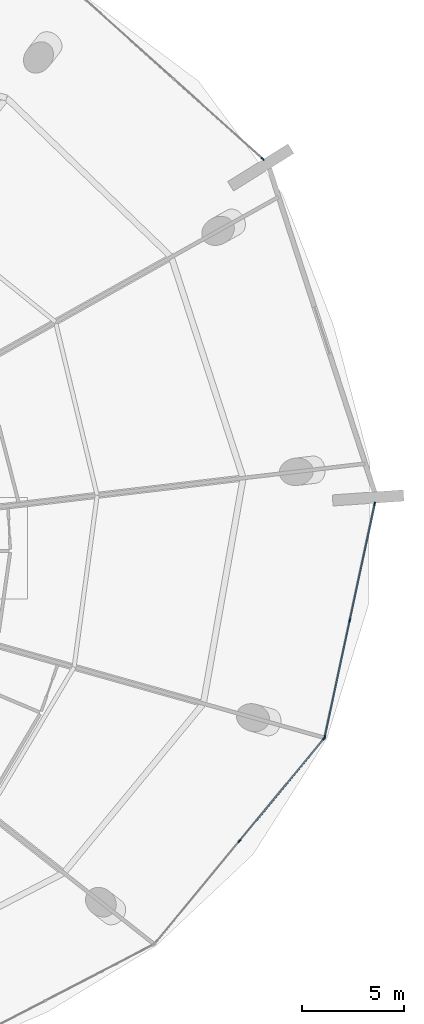
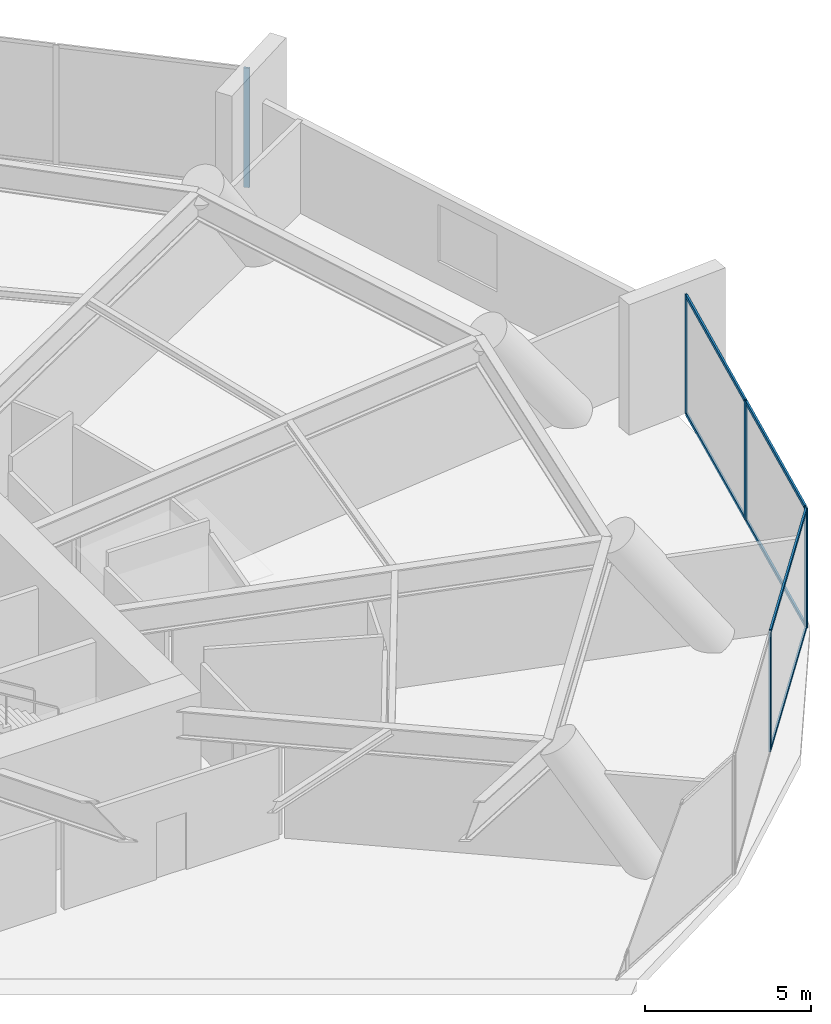
# One storey, part 15 of 21: 12 members, 3 elements without a shape of their own.
"""IFC4 building model written with IfcOpenShell, lengths in metres."""

from ifc_helpers import new_model, si_unit, direction, frame, origin, origin_2d, place, context, subcontext, project, spatial, rectangle, extrude, material, layer, layer_set, material_profile, profile_set, type_object, element, aggregate, save


model = new_model("IFC4")

# Units and contexts
model_context = context("Model", 3, precision=1e-05, world=origin(), true_north=direction((0.0, 1.0)))
body_context = subcontext(model_context, "Body", "Model", "MODEL_VIEW")
ifc_project = project(units=[si_unit("LENGTHUNIT", "METRE"), si_unit("AREAUNIT", "SQUARE_METRE"), si_unit("VOLUMEUNIT", "CUBIC_METRE"), si_unit("PLANEANGLEUNIT", "RADIAN"), si_unit("MASSUNIT", "GRAM", prefix="KILO")], contexts=[model_context])

# Site, building, storey
site_placement = place(None, origin())
site = spatial("IfcSite", under=ifc_project, at=site_placement, CompositionType="ELEMENT")
building_placement = place(site_placement, origin())
building = spatial("IfcBuilding", under=site, at=building_placement, Name="Kazma Halo Residences", CompositionType="ELEMENT")
storey_placement = place(building_placement, frame((0.0, 0.0, 21.60009765625)))
storey = spatial("IfcBuildingStorey", under=building, at=storey_placement, Name="L04", CompositionType="ELEMENT", Elevation=21.60009765625)

# Curtain wall, member
ifc_material_1 = material(Name="Aluminium AW-6063 T6 and Triple-Silver Low-E Glass", Category="aluminium")
ifc_layer = layer(ifc_material_1, 0.179931640625)
ifc_layer_set = layer_set([ifc_layer], Name="Aluminium AW-6063 T6 and Triple-Silver Low-E Glass")
curtain_wall_type = type_object("IfcCurtainWallType", Name="CW-SYS-1", PredefinedType="NOTDEFINED", material=ifc_layer_set)
curtain_wall_1_placement = place(storey_placement, origin())
curtain_wall_1 = element("IfcCurtainWall", 1, at=curtain_wall_1_placement, inside=storey, type_object=curtain_wall_type, Name="L04 unitised curtain wall B01", PredefinedType="NOTDEFINED")
ifc_material_2 = material(Name="Aluminium AW-6063 T6", Category="aluminium")
ifc_material_profile_1 = material_profile(ifc_material_2, rectangle(XDim=0.06494140625, YDim=0.179931640625, at=origin_2d()), Name="CWM-65x180")
ifc_profile_set_1 = profile_set([ifc_material_profile_1], Name="Aluminium AW-6063 T6")
member_type_1 = type_object("IfcMemberType", Name="CW-SYS-1-MUL", PredefinedType="MULLION", material=ifc_profile_set_1)
member_1_placement = place(storey_placement, frame((78.05859375, 61.14990234375, 0.0), z_axis=(0.0, 0.0, 1.0), x_axis=(-0.667847908139, -0.744297770784, 0.0)))
member_1 = element("IfcMember", 2, at=member_1_placement, type_object=member_type_1, Name="CWS-1 mullion 1", PredefinedType="MULLION", context=body_context, shape_type="SweptSolid", body=[
    extrude(rectangle(XDim=0.06494140625, YDim=0.179931640625, at=origin_2d()), origin(), (0.0, 0.0, 1.0), 4.39990234375),
])
aggregate(curtain_wall_1, [member_1])

# Curtain wall, members
curtain_wall_2_placement = place(storey_placement, origin())
curtain_wall_2 = element("IfcCurtainWall", 3, at=curtain_wall_2_placement, inside=storey, type_object=curtain_wall_type, Name="L04 unitised curtain wall B14", PredefinedType="NOTDEFINED")
member_2_placement = place(storey_placement, frame((76.915283203125, 27.5859375, 0.0), z_axis=(0.0, 0.0, 1.0), x_axis=(-0.771191775002, 0.636602895194, 0.0)))
member_2 = element("IfcMember", 4, at=member_2_placement, type_object=member_type_1, Name="CWS-1 mullion 2", PredefinedType="MULLION", context=body_context, shape_type="SweptSolid", body=[
    extrude(rectangle(XDim=0.06494140625, YDim=0.179931640625, at=origin_2d()), origin(), (0.0, 0.0, 1.0), 4.39990234375),
])
member_3_placement = place(storey_placement, frame((81.08544921875, 32.637939453125, 0.0), z_axis=(0.0, 0.0, 1.0), x_axis=(-0.771191775002, 0.636602895194, 0.0)))
member_3 = element("IfcMember", 5, at=member_3_placement, type_object=member_type_1, Name="CWS-1 mullion 3", PredefinedType="MULLION", context=body_context, shape_type="SweptSolid", body=[
    extrude(rectangle(XDim=0.06494140625, YDim=0.179931640625, at=origin_2d()), origin(), (0.0, 0.0, 1.0), 4.39990234375),
])

curtain_wall_3_placement = place(storey_placement, origin())
curtain_wall_3 = element("IfcCurtainWall", 6, at=curtain_wall_3_placement, inside=storey, type_object=curtain_wall_type, Name="L04 unitised curtain wall B15", PredefinedType="NOTDEFINED")
member_4_placement = place(storey_placement, frame((81.113037109375, 32.69482421875, 0.0), z_axis=(0.0, 0.0, 1.0), x_axis=(-0.977788157631, 0.209595607771, 0.0)))
member_4 = element("IfcMember", 7, at=member_4_placement, type_object=member_type_1, Name="CWS-1 mullion 1", PredefinedType="MULLION", context=body_context, shape_type="SweptSolid", body=[
    extrude(rectangle(XDim=0.06494140625, YDim=0.179931640625, at=origin_2d()), origin(), (0.0, 0.0, 1.0), 4.39990234375),
])
member_5_placement = place(storey_placement, frame((82.343505859375, 38.435302734375, 0.0), z_axis=(0.0, 0.0, 1.0), x_axis=(-0.977788157631, 0.209595607771, 0.0)))
member_5 = element("IfcMember", 8, at=member_5_placement, type_object=member_type_1, Name="CWS-1 mullion 2", PredefinedType="MULLION", context=body_context, shape_type="SweptSolid", body=[
    extrude(rectangle(XDim=0.06494140625, YDim=0.179931640625, at=origin_2d()), origin(), (0.0, 0.0, 1.0), 4.39990234375),
])
member_6_placement = place(storey_placement, frame((83.573974609375, 44.175537109375, 0.0), z_axis=(0.0, 0.0, 1.0), x_axis=(-0.977788157631, 0.209595607771, 0.0)))
member_6 = element("IfcMember", 9, at=member_6_placement, type_object=member_type_1, Name="CWS-1 mullion 3", PredefinedType="MULLION", context=body_context, shape_type="SweptSolid", body=[
    extrude(rectangle(XDim=0.06494140625, YDim=0.179931640625, at=origin_2d()), origin(), (0.0, 0.0, 1.0), 4.39990234375),
])

# Member
ifc_material_profile_2 = material_profile(ifc_material_2, rectangle(XDim=0.06494140625, YDim=0.135009765625, at=origin_2d()), Name="CWT-65x135")
ifc_profile_set_2 = profile_set([ifc_material_profile_2], Name="Aluminium AW-6063 T6")
member_type_2 = type_object("IfcMemberType", Name="CW-SYS-1-TRN", PredefinedType="USERDEFINED", material=ifc_profile_set_2)
member_7_placement = place(storey_placement, frame((76.935791015625, 27.611083984375, 0.032470703125), z_axis=(0.636615852507, 0.771181078825, 0.0), x_axis=(-0.771181078825, 0.636615852507, 0.0)))
member_7 = element("IfcMember", 10, at=member_7_placement, type_object=member_type_2, Name="CWS-1 transom 2.1", ObjectType="TRANSOM", PredefinedType="USERDEFINED", context=body_context, shape_type="SweptSolid", body=[
    extrude(rectangle(XDim=0.06494140625, YDim=0.135009765625, at=origin_2d()), origin(), (0.0, 0.0, 1.0), 6.486083984375),
])

member_8_placement = place(storey_placement, frame((76.935791015625, 27.611083984375, 4.367431640625), z_axis=(0.636615852507, 0.771181078825, 0.0), x_axis=(-0.771181078825, 0.636615852507, 0.0)))
member_8 = element("IfcMember", 11, at=member_8_placement, type_object=member_type_2, Name="CWS-1 transom 2.2", ObjectType="TRANSOM", PredefinedType="USERDEFINED", context=body_context, shape_type="SweptSolid", body=[
    extrude(rectangle(XDim=0.06494140625, YDim=0.135009765625, at=origin_2d()), origin(), (0.0, 0.0, 1.0), 6.486083984375),
])

aggregate(curtain_wall_2, [member_2, member_3, member_7, member_8])

member_9_placement = place(storey_placement, frame((81.119873046875, 32.7265625, 0.032470703125), z_axis=(0.209577907659, 0.977791951604, 0.0), x_axis=(-0.977791951604, 0.209577907659, 0.0)))
member_9 = element("IfcMember", 12, at=member_9_placement, type_object=member_type_2, Name="CWS-1 transom 1.1", ObjectType="TRANSOM", PredefinedType="USERDEFINED", context=body_context, shape_type="SweptSolid", body=[
    extrude(rectangle(XDim=0.06494140625, YDim=0.135009765625, at=origin_2d()), origin(), (0.0, 0.0, 1.0), 5.805908203125),
])

member_10_placement = place(storey_placement, frame((81.119873046875, 32.7265625, 4.367431640625), z_axis=(0.209577907659, 0.977791951604, 0.0), x_axis=(-0.977791951604, 0.209577907659, 0.0)))
member_10 = element("IfcMember", 13, at=member_10_placement, type_object=member_type_2, Name="CWS-1 transom 1.2", ObjectType="TRANSOM", PredefinedType="USERDEFINED", context=body_context, shape_type="SweptSolid", body=[
    extrude(rectangle(XDim=0.06494140625, YDim=0.135009765625, at=origin_2d()), origin(), (0.0, 0.0, 1.0), 5.805908203125),
])

member_11_placement = place(storey_placement, frame((82.350341796875, 38.467041015625, 0.032470703125), z_axis=(0.209586525071, 0.977790104526, 0.0), x_axis=(-0.977790104526, 0.209586525071, 0.0)))
member_11 = element("IfcMember", 14, at=member_11_placement, type_object=member_type_2, Name="CWS-1 transom 2.1", ObjectType="TRANSOM", PredefinedType="USERDEFINED", context=body_context, shape_type="SweptSolid", body=[
    extrude(rectangle(XDim=0.06494140625, YDim=0.135009765625, at=origin_2d()), origin(), (0.0, 0.0, 1.0), 5.8056640625),
])

member_12_placement = place(storey_placement, frame((82.350341796875, 38.467041015625, 4.367431640625), z_axis=(0.209586525071, 0.977790104526, 0.0), x_axis=(-0.977790104526, 0.209586525071, 0.0)))
member_12 = element("IfcMember", 15, at=member_12_placement, type_object=member_type_2, Name="CWS-1 transom 2.2", ObjectType="TRANSOM", PredefinedType="USERDEFINED", context=body_context, shape_type="SweptSolid", body=[
    extrude(rectangle(XDim=0.06494140625, YDim=0.135009765625, at=origin_2d()), origin(), (0.0, 0.0, 1.0), 5.8056640625),
])

aggregate(curtain_wall_3, [member_4, member_5, member_6, member_9, member_10, member_11, member_12])

save(model, "model.ifc")
